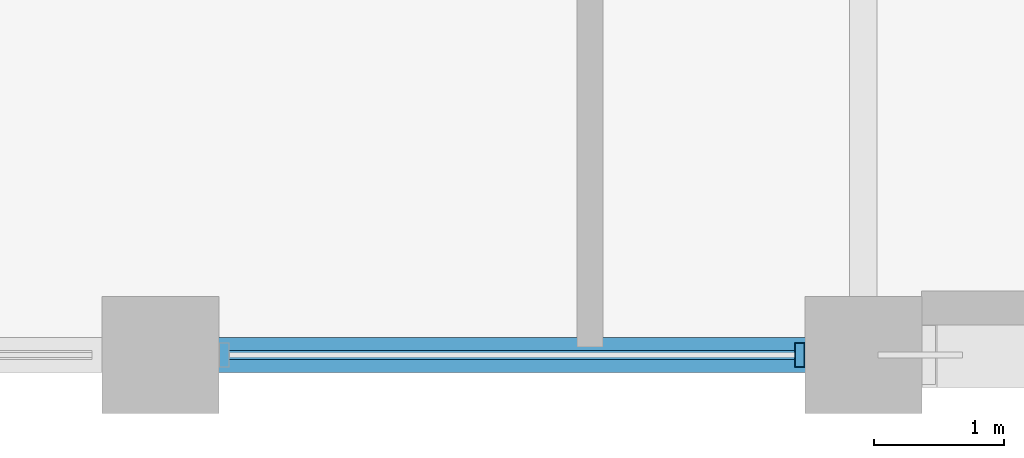
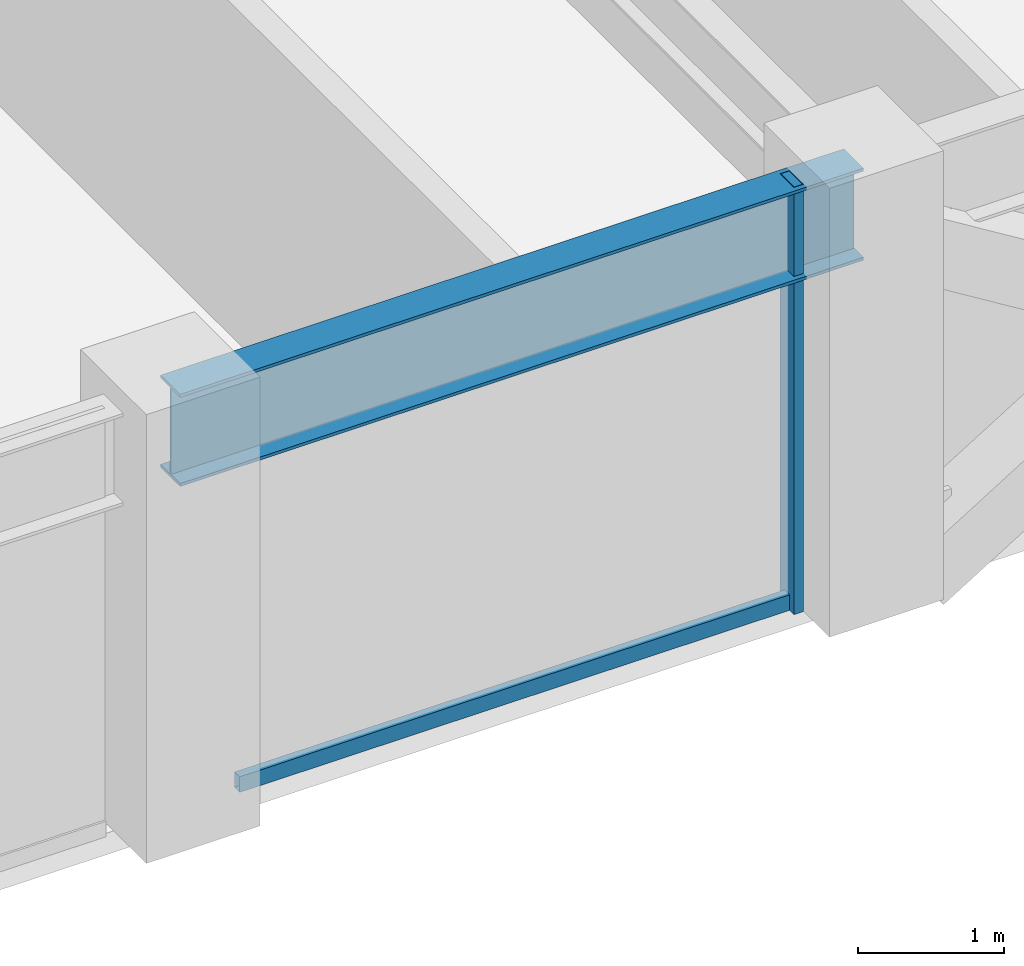
# One storey, part 3 of 32: 2 members, 1 beam, 1 element without a shape of its own.
"""IFC4 building model written with IfcOpenShell, lengths in metres."""

from ifc_helpers import new_model, si_unit, direction, frame, origin, origin_2d, place, context, subcontext, project, spatial, hollow_rectangle, i_section, extrude, material, layer, layer_set, material_profile, profile_set, type_object, element, aggregate, save


model = new_model("IFC4")

# Units and contexts
model_context = context("Model", 3, precision=1e-05, world=origin(), true_north=direction((0.0, 1.0)))
body_context = subcontext(model_context, "Body", "Model", "MODEL_VIEW")
ifc_project = project(units=[si_unit("LENGTHUNIT", "METRE"), si_unit("AREAUNIT", "SQUARE_METRE"), si_unit("VOLUMEUNIT", "CUBIC_METRE"), si_unit("PLANEANGLEUNIT", "RADIAN"), si_unit("MASSUNIT", "GRAM", prefix="KILO")], contexts=[model_context])

# Site, building, storey
site_placement = place(None, origin())
site = spatial("IfcSite", under=ifc_project, at=site_placement, CompositionType="ELEMENT")
building_placement = place(site_placement, origin())
building = spatial("IfcBuilding", under=site, at=building_placement, Name="Surkhivell Harbour Commons", CompositionType="ELEMENT")
storey_placement = place(building_placement, frame((0.0, 0.0, 212.25)))
storey = spatial("IfcBuildingStorey", under=building, at=storey_placement, Name="L55", CompositionType="ELEMENT", Elevation=212.25)

# Beam
ifc_material_1 = material(Name="Steel S355", Category="steel")
ifc_material_profile_1 = material_profile(ifc_material_1, i_section(OverallWidth=0.26806640625, OverallDepth=0.77001953125, WebThickness=0.015625, FlangeThickness=0.025390625, at=origin_2d()), Name="UB762x267x197")
ifc_profile_set_1 = profile_set([ifc_material_profile_1], Name="Steel S355")
beam_type = type_object("IfcBeamType", Name="BM-SPN-762", PredefinedType="SPANDREL", material=ifc_profile_set_1)
beam_placement = place(storey_placement, frame((-16.199951171875, -21.60009765625, 3.18505859375), z_axis=(1.0, 0.0, 0.0), x_axis=(0.0, 1.0, 0.0)))
element("IfcBeam", 1, at=beam_placement, inside=storey, type_object=beam_type, Name="L55 Tube Spandrel (-16.2,-21.6)", PredefinedType="SPANDREL", context=body_context, shape_type="SweptSolid", body=[
    extrude(i_section(OverallWidth=0.26806640625, OverallDepth=0.77001953125, WebThickness=0.015625, FlangeThickness=0.025390625, at=origin_2d()), origin(), (0.0, 0.0, 1.0), 5.39990234375),
])

# Curtain wall, members
ifc_material_2 = material(Name="Anodised pale-metal aluminium and insulated glazing", Category="aluminium")
ifc_layer = layer(ifc_material_2, 0.18994140625)
ifc_layer_set = layer_set([ifc_layer], Name="Anodised pale-metal aluminium and insulated glazing")
curtain_wall_type = type_object("IfcCurtainWallType", Name="CW-SYS-Z3", PredefinedType="NOTDEFINED", material=ifc_layer_set)
curtain_wall_placement = place(storey_placement, origin())
curtain_wall = element("IfcCurtainWall", 2, at=curtain_wall_placement, inside=storey, type_object=curtain_wall_type, Name="L55 Curtain Wall CW-L55-E00S1", PredefinedType="NOTDEFINED")
ifc_material_3 = material(Name="Anodised pale-metal aluminium alloy 6063-T6", Category="aluminium")
ifc_material_profile_2 = material_profile(ifc_material_3, hollow_rectangle(XDim=0.074951171875, YDim=0.18994140625, WallThickness=0.00390625, at=origin_2d()), Name="ALU-MULL-75x190")
ifc_profile_set_2 = profile_set([ifc_material_profile_2], Name="Anodised pale-metal aluminium alloy 6063-T6")
member_type_1 = type_object("IfcMemberType", Name="CWM-190", PredefinedType="MULLION", material=ifc_profile_set_2)
member_1_placement = place(storey_placement, frame((-11.28955078125, -21.60009765625, 0.0), z_axis=(0.0, 0.0, 1.0), x_axis=(1.0, 0.0, 0.0)))
member_1 = element("IfcMember", 3, at=member_1_placement, type_object=member_type_1, Name="CW-Z3 mullion 3", PredefinedType="MULLION", context=body_context, shape_type="SweptSolid", body=[
    extrude(hollow_rectangle(XDim=0.074951171875, YDim=0.18994140625, WallThickness=0.00390625, at=origin_2d()), origin(), (0.0, 0.0, 1.0), 3.570068359375),
])
ifc_material_4 = material(Name="Champagne anodised aluminium alloy 6063-T6", Category="aluminium")
ifc_material_profile_3 = material_profile(ifc_material_4, hollow_rectangle(XDim=0.070068359375, YDim=0.1298828125, WallThickness=0.00341796875, at=origin_2d()), Name="ALU-TRAN-70x130")
ifc_profile_set_3 = profile_set([ifc_material_profile_3], Name="Champagne anodised aluminium alloy 6063-T6")
member_type_2 = type_object("IfcMemberType", Name="CWT-130", PredefinedType="USERDEFINED", material=ifc_profile_set_3)
member_2_placement = place(storey_placement, frame((-15.673095703125, -21.60009765625, 0.06494140625), z_axis=(1.0, 0.0, 0.0), x_axis=(0.0, 1.0, 0.0)))
member_2 = element("IfcMember", 4, at=member_2_placement, type_object=member_type_2, Name="CW-Z3 transom 2.1", ObjectType="TRANSOM", PredefinedType="USERDEFINED", context=body_context, shape_type="SweptSolid", body=[
    extrude(hollow_rectangle(XDim=0.070068359375, YDim=0.1298828125, WallThickness=0.00341796875, at=origin_2d()), origin(), (0.0, 0.0, 1.0), 4.34619140625),
])
aggregate(curtain_wall, [member_1, member_2])

save(model, "model.ifc")
